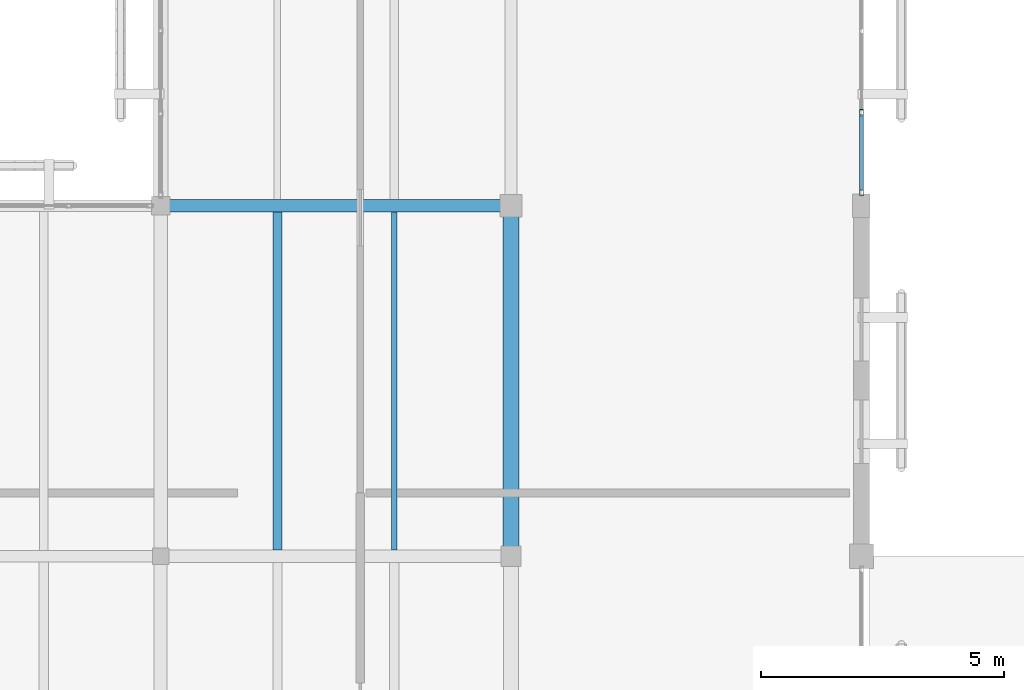
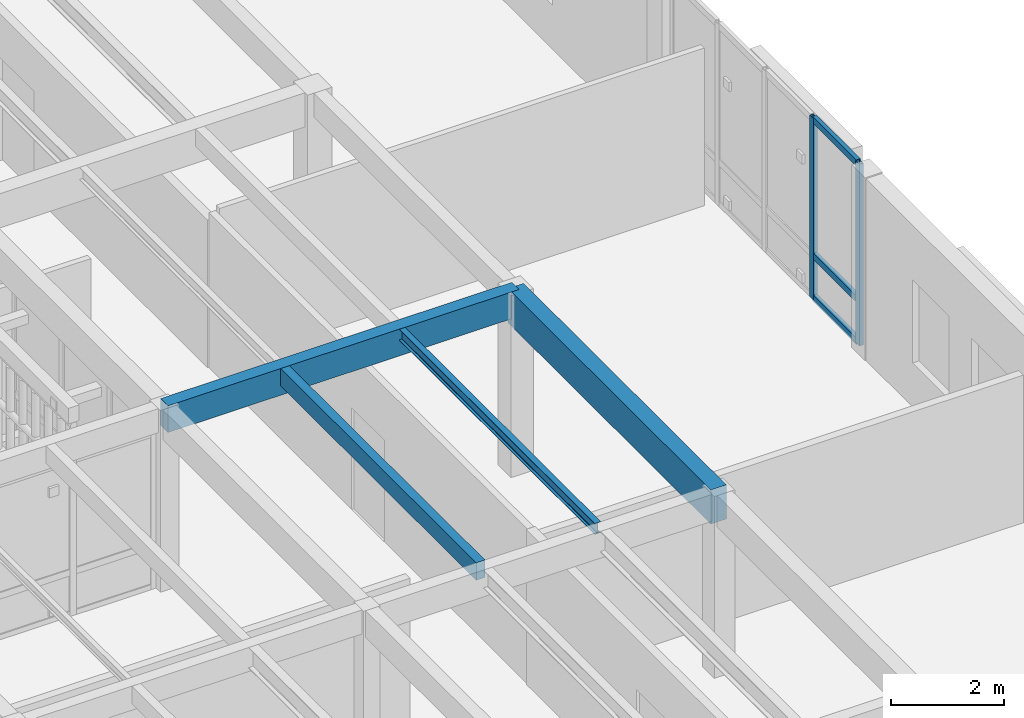
# One storey, part 16 of 61: 5 members, 4 beams, 1 element without a shape of its own.
"""IFC4 building model written with IfcOpenShell, lengths in metres."""

from ifc_helpers import new_model, si_unit, direction, frame, origin, origin_2d, place, context, subcontext, project, spatial, rectangle, hollow_rectangle, i_section, extrude, material, layer, layer_set, material_profile, profile_set, type_object, element, aggregate, save


model = new_model("IFC4")

# Units and contexts
model_context = context("Model", 3, precision=1e-05, world=origin(), true_north=direction((0.0, 1.0)))
body_context = subcontext(model_context, "Body", "Model", "MODEL_VIEW")
ifc_project = project(units=[si_unit("LENGTHUNIT", "METRE"), si_unit("AREAUNIT", "SQUARE_METRE"), si_unit("VOLUMEUNIT", "CUBIC_METRE"), si_unit("PLANEANGLEUNIT", "RADIAN"), si_unit("MASSUNIT", "GRAM", prefix="KILO")], contexts=[model_context])

# Site, building, storey
site_placement = place(None, origin())
site = spatial("IfcSite", under=ifc_project, at=site_placement, CompositionType="ELEMENT")
building_placement = place(site_placement, origin())
building = spatial("IfcBuilding", under=site, at=building_placement, Name="Mazaris Harbour Polytechnic", CompositionType="ELEMENT")
storey_placement = place(building_placement, frame((0.0, 0.0, 18.0)))
storey = spatial("IfcBuildingStorey", under=building, at=storey_placement, Name="L04", CompositionType="ELEMENT", Elevation=18.0)

# Curtain wall, members
ifc_material_1 = material(Name="Anodised Bronze Aluminium and Low-E Glass", Category="aluminium")
ifc_layer = layer(ifc_material_1, 0.159912109375, Name="Anodised Bronze Aluminium and Low-E Glass")
ifc_layer_set = layer_set([ifc_layer], Name="Anodised Bronze Aluminium and Low-E Glass")
curtain_wall_type = type_object("IfcCurtainWallType", Name="Cloister Court Curtain Wall", PredefinedType="NOTDEFINED", material=ifc_layer_set)
curtain_wall_placement = place(storey_placement, origin())
curtain_wall = element("IfcCurtainWall", 1, at=curtain_wall_placement, inside=storey, type_object=curtain_wall_type, Name="V4 L04 Curtain Wall 164", PredefinedType="NOTDEFINED")
ifc_material_2 = material(Name="Anodised Bronze Steel S355", Category="steel")
ifc_material_profile_1 = material_profile(ifc_material_2, hollow_rectangle(XDim=0.080078125, YDim=0.139892578125, WallThickness=0.00634765625, at=origin_2d()), Name="RHS 80x140x6.3")
ifc_profile_set_1 = profile_set([ifc_material_profile_1], Name="Anodised Bronze Steel S355")
member_type_1 = type_object("IfcMemberType", Name="Curtain Mullion RHS80x140", PredefinedType="MULLION", material=ifc_profile_set_1)
member_1_placement = place(storey_placement, frame((43.199951171875, 37.908447265625, 0.0), z_axis=(0.0, 0.0, 1.0), x_axis=(1.0, 0.0, 0.0)))
member_1 = element("IfcMember", 2, at=member_1_placement, type_object=member_type_1, Name="CW-02 mullion 4", PredefinedType="MULLION", context=body_context, shape_type="SweptSolid", body=[
    extrude(hollow_rectangle(XDim=0.080078125, YDim=0.139892578125, WallThickness=0.00634765625, at=origin_2d()), origin(), (0.0, 0.0, 1.0), 3.93505859375),
])
member_2_placement = place(storey_placement, frame((43.199951171875, 36.27197265625, 0.0), z_axis=(0.0, 0.0, 1.0), x_axis=(1.0, 0.0, 0.0)))
member_2 = element("IfcMember", 3, at=member_2_placement, type_object=member_type_1, Name="CW-02 mullion 5", PredefinedType="MULLION", context=body_context, shape_type="SweptSolid", body=[
    extrude(hollow_rectangle(XDim=0.080078125, YDim=0.139892578125, WallThickness=0.00634765625, at=origin_2d()), origin(), (0.0, 0.0, 1.0), 3.93505859375),
])
ifc_material_3 = material(Name="Anodised Bronze Steel S355", Category="steel")
ifc_material_profile_2 = material_profile(ifc_material_3, hollow_rectangle(XDim=0.080078125, YDim=0.139892578125, WallThickness=0.00634765625, at=origin_2d()), Name="RHS 80x140x6.3")
ifc_profile_set_2 = profile_set([ifc_material_profile_2], Name="Anodised Bronze Steel S355")
member_type_2 = type_object("IfcMemberType", Name="Curtain Transom RHS80x140", PredefinedType="USERDEFINED", material=ifc_profile_set_2)
member_3_placement = place(storey_placement, frame((43.199951171875, 37.868408203125, 0.0400390625), z_axis=(0.0, -1.0, 0.0), x_axis=(1.0, 0.0, 0.0)))
member_3 = element("IfcMember", 4, at=member_3_placement, type_object=member_type_2, Name="CW-02 transom 4.1", ObjectType="TRANSOM", PredefinedType="USERDEFINED", context=body_context, shape_type="SweptSolid", body=[
    extrude(hollow_rectangle(XDim=0.080078125, YDim=0.139892578125, WallThickness=0.00634765625, at=origin_2d()), origin(), (0.0, 0.0, 1.0), 1.556396484375),
])
member_4_placement = place(storey_placement, frame((43.199951171875, 37.868408203125, 0.949951171875), z_axis=(0.0, -1.0, 0.0), x_axis=(1.0, 0.0, 0.0)))
member_4 = element("IfcMember", 5, at=member_4_placement, type_object=member_type_2, Name="CW-02 transom 4.2", ObjectType="TRANSOM", PredefinedType="USERDEFINED", context=body_context, shape_type="SweptSolid", body=[
    extrude(hollow_rectangle(XDim=0.080078125, YDim=0.139892578125, WallThickness=0.00634765625, at=origin_2d()), origin(), (0.0, 0.0, 1.0), 1.556396484375),
])
member_5_placement = place(storey_placement, frame((43.199951171875, 37.868408203125, 3.89501953125), z_axis=(0.0, -1.0, 0.0), x_axis=(1.0, 0.0, 0.0)))
member_5 = element("IfcMember", 6, at=member_5_placement, type_object=member_type_2, Name="CW-02 transom 4.3", ObjectType="TRANSOM", PredefinedType="USERDEFINED", context=body_context, shape_type="SweptSolid", body=[
    extrude(hollow_rectangle(XDim=0.080078125, YDim=0.139892578125, WallThickness=0.00634765625, at=origin_2d()), origin(), (0.0, 0.0, 1.0), 1.556396484375),
])
aggregate(curtain_wall, [member_1, member_2, member_3, member_4, member_5])

# Beams
ifc_material_4 = material(Name="Glulam GL32h", Category="wood")
ifc_material_profile_3 = material_profile(ifc_material_4, rectangle(XDim=0.260009765625, YDim=0.580078125, at=origin_2d()), Name="RECT260x580")
ifc_profile_set_3 = profile_set([ifc_material_profile_3], Name="Glulam GL32h")
beam_type_1 = type_object("IfcBeamType", Name="Glulam Girder 260x580", PredefinedType="BEAM", material=ifc_profile_set_3)
beam_1_placement = place(storey_placement, frame((28.800048828125, 36.0, 3.64501953125), z_axis=(1.0, 0.0, 0.0), x_axis=(0.0, 1.0, 0.0)))
element("IfcBeam", 7, at=beam_1_placement, inside=storey, type_object=beam_type_1, Name="V4 L04 Girder 2386", PredefinedType="BEAM", context=body_context, shape_type="SweptSolid", body=[
    extrude(rectangle(XDim=0.260009765625, YDim=0.580078125, at=origin_2d()), origin(), (0.0, 0.0, 1.0), 7.199951171875),
])
ifc_material_5 = material(Name="Glulam GL32h", Category="wood")
ifc_material_profile_4 = material_profile(ifc_material_5, rectangle(XDim=0.320068359375, YDim=0.739990234375, at=origin_2d()), Name="RECT320x740")
ifc_profile_set_4 = profile_set([ifc_material_profile_4], Name="Glulam GL32h")
beam_type_2 = type_object("IfcBeamType", Name="Glulam Girder 320x740 Exterior", PredefinedType="BEAM", material=ifc_profile_set_4)
beam_2_placement = place(storey_placement, frame((36.0, 28.800048828125, 3.56494140625), z_axis=(0.0, 1.0, 0.0), x_axis=(-1.0, 0.0, 0.0)))
element("IfcBeam", 8, at=beam_2_placement, inside=storey, type_object=beam_type_2, Name="V4 L04 Tie Girder 2429", PredefinedType="BEAM", context=body_context, shape_type="SweptSolid", body=[
    extrude(rectangle(XDim=0.320068359375, YDim=0.739990234375, at=origin_2d()), origin(), (0.0, 0.0, 1.0), 7.199951171875),
])
ifc_material_6 = material(Name="Glulam GL28h", Category="wood")
ifc_material_profile_5 = material_profile(ifc_material_6, rectangle(XDim=0.179931640625, YDim=0.3798828125, at=origin_2d()), Name="RECT180x380")
ifc_profile_set_5 = profile_set([ifc_material_profile_5], Name="Glulam GL28h")
beam_type_3 = type_object("IfcBeamType", Name="Glulam Joist 180x380", PredefinedType="JOIST", material=ifc_profile_set_5)
beam_3_placement = place(storey_placement, frame((31.199951171875, 28.929931640625, 3.7451171875), z_axis=(0.0, 1.0, 0.0), x_axis=(-1.0, 0.0, 0.0)))
element("IfcBeam", 9, at=beam_3_placement, inside=storey, type_object=beam_type_3, Name="V4 L04 Floor Joist 2478", PredefinedType="JOIST", context=body_context, shape_type="SweptSolid", body=[
    extrude(rectangle(XDim=0.179931640625, YDim=0.3798828125, at=origin_2d()), origin(), (0.0, 0.0, 1.0), 6.940185546875),
])
ifc_material_7 = material(Name="Steel S355", Category="steel")
ifc_material_profile_6 = material_profile(ifc_material_7, i_section(OverallWidth=0.1201171875, OverallDepth=0.239990234375, WebThickness=0.006103515625, FlangeThickness=0.009765625, FilletRadius=0.014892578125, at=origin_2d()), Name="IPE 240")
ifc_profile_set_6 = profile_set([ifc_material_profile_6], Name="Steel S355")
beam_type_4 = type_object("IfcBeamType", Name="Steel Joist IPE240", PredefinedType="JOIST", material=ifc_profile_set_6)
beam_4_placement = place(storey_placement, frame((33.60009765625, 28.929931640625, 3.81494140625), z_axis=(0.0, 1.0, 0.0), x_axis=(-1.0, 0.0, 0.0)))
element("IfcBeam", 10, at=beam_4_placement, inside=storey, type_object=beam_type_4, Name="V4 L04 Floor Joist 2479", PredefinedType="JOIST", context=body_context, shape_type="SweptSolid", body=[
    extrude(i_section(OverallWidth=0.1201171875, OverallDepth=0.239990234375, WebThickness=0.006103515625, FlangeThickness=0.009765625, FilletRadius=0.014892578125, at=origin_2d()), origin(), (0.0, 0.0, 1.0), 6.940185546875),
])

save(model, "model.ifc")
